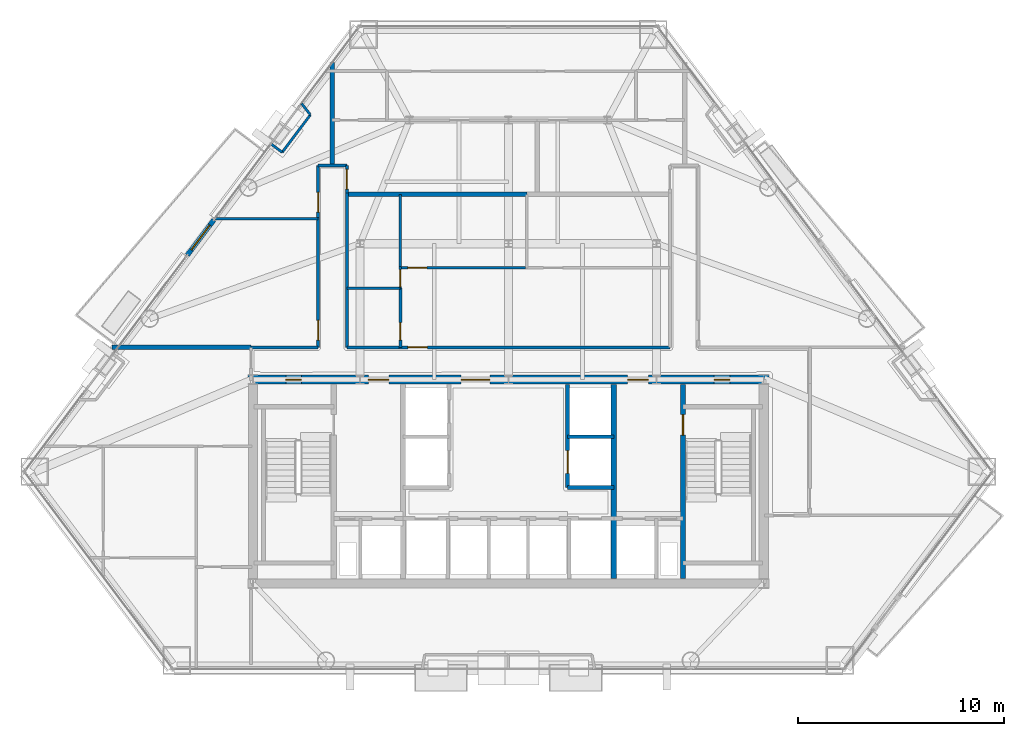
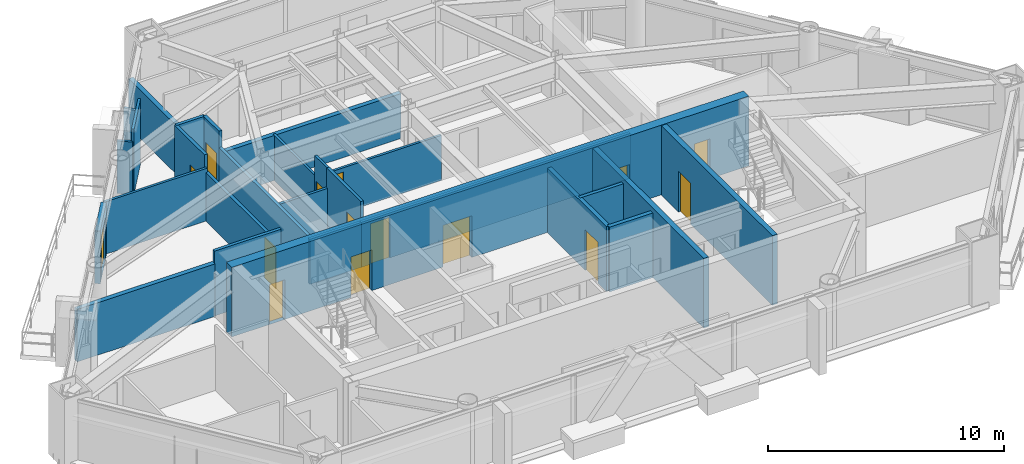
# One storey, part 7 of 11: 27 walls, 15 doors, 15 openings.
"""IFC4 building model written with IfcOpenShell, lengths in metres."""

import ifcopenshell
import ifcopenshell.guid

model = None  # the IFC model being written
_history = None  # IfcOwnerHistory: only IFC2X3 demands one
_inside = {}  # id of a spatial element -> (the spatial element, [elements in it])
_under = {}  # id of a project, library or spatial element -> (it, [spatial elements below it])
_declared = {}  # id of a project -> (the project, [libraries it declares])
_typed = {}  # id of a type object -> (the type object, [elements of that type])
_made_of = {}  # id of a material, layer set ... -> (it, [elements and type objects made of it])


def new_model(schema):
    """Start an empty IFC model of exactly this schema.

    Asked for "IFC4X3", IfcOpenShell would pick the latest addendum, in which some entities
    have other attributes; the version numbers below select the first issue.
    IFC2X3 requires an IfcOwnerHistory on every rooted entity: one is made here for all.
    """
    global model, _history
    if schema == "IFC4X3":
        model = ifcopenshell.file(schema_version=(4, 3, 0, 0))
    else:
        model = ifcopenshell.file(schema=schema)
    _inside.clear()
    _under.clear()
    _declared.clear()
    _typed.clear()
    _made_of.clear()
    _history = None
    if model.schema == "IFC2X3":
        org = make("IfcOrganization", Name="unknown")
        user = make(
            "IfcPersonAndOrganization",
            ThePerson=make("IfcPerson", FamilyName="unknown"),
            TheOrganization=org,
        )
        app = make(
            "IfcApplication",
            ApplicationDeveloper=org,
            Version="unknown",
            ApplicationFullName="unknown",
            ApplicationIdentifier="unknown",
        )
        _history = make(
            "IfcOwnerHistory",
            OwningUser=user,
            OwningApplication=app,
            ChangeAction="ADDED",
            CreationDate=0,
        )
    return model


def make(cls, **values):
    """One entity of the class cls with the attributes given. An attribute that is None is left unset."""
    return model.create_entity(
        cls, **{name: value for name, value in values.items() if value is not None}
    )


def rooted(cls, **values):
    """An entity with a GlobalId (a new one), such as an element, a storey or a relation."""
    return make(cls, GlobalId=ifcopenshell.guid.new(), OwnerHistory=_history, **values)


def si_unit(unit_type, name, prefix=None):
    """IfcSIUnit, for example si_unit("LENGTHUNIT", "METRE", prefix="MILLI")."""
    return make("IfcSIUnit", UnitType=unit_type, Prefix=prefix, Name=name)


def assignment(units):
    """IfcUnitAssignment: the units of a project."""
    return None if units is None else make("IfcUnitAssignment", Units=units)


def point(xyz):
    """IfcCartesianPoint."""
    return None if xyz is None else make("IfcCartesianPoint", Coordinates=xyz)


def direction(xyz):
    """IfcDirection."""
    return None if xyz is None else make("IfcDirection", DirectionRatios=xyz)


def frame(location, z_axis=None, x_axis=None):
    """IfcAxis2Placement3D, a coordinate frame: its origin and axes. An axis left out is left unset."""
    return make(
        "IfcAxis2Placement3D",
        Location=point(location),
        Axis=direction(z_axis),
        RefDirection=direction(x_axis),
    )


def frame_2d(location, x_axis=None):
    """IfcAxis2Placement2D, a coordinate frame in the plane: its origin and x axis."""
    return make(
        "IfcAxis2Placement2D", Location=point(location), RefDirection=direction(x_axis)
    )


def origin():
    """The frame at (0, 0, 0) with its axes left unset."""
    return frame((0.0, 0.0, 0.0))


def place(relative_to, where):
    """IfcLocalPlacement: puts the frame where relative to a parent placement (None: the world)."""
    return make(
        "IfcLocalPlacement", PlacementRelTo=relative_to, RelativePlacement=where
    )


def context(
    kind, dimensions, precision=None, world=None, true_north=None, identifier=None
):
    """IfcGeometricRepresentationContext, for example the 3D "Model" context."""
    return make(
        "IfcGeometricRepresentationContext",
        ContextIdentifier=identifier,
        ContextType=kind,
        CoordinateSpaceDimension=dimensions,
        Precision=precision,
        WorldCoordinateSystem=world,
        TrueNorth=true_north,
    )


def subcontext(parent, identifier, kind, view, scale=None):
    """IfcGeometricRepresentationSubContext, for example "Body" below "Model"."""
    return make(
        "IfcGeometricRepresentationSubContext",
        ContextIdentifier=identifier,
        ContextType=kind,
        ParentContext=parent,
        TargetScale=scale,
        TargetView=view,
    )


def project(units=None, contexts=None):
    """IfcProject with its units and contexts."""
    return rooted(
        "IfcProject",
        Name="project",
        RepresentationContexts=contexts,
        UnitsInContext=assignment(units),
    )


def spatial(cls, under=None, at=None, **own):
    """A site, building, storey or space (cls), placed at a placement, below another one or the project."""
    s = rooted(cls, ObjectPlacement=at, **own)
    if under is not None:
        _under.setdefault(under.id(), (under, []))[1].append(s)
    return s


def profile(cls, at=None, kind="AREA", **sizes):
    """A parametric profile (cls). Its sizes go by their IFC names, for example OverallWidth=200.0."""
    return make(cls, ProfileType=kind, Position=at, **sizes)


def rectangle(**sizes):
    """IfcRectangleProfileDef."""
    return profile("IfcRectangleProfileDef", **sizes)


def extrude(swept, where, along, depth):
    """IfcExtrudedAreaSolid: the profile swept, set in the frame where, extruded along a direction by depth."""
    return make(
        "IfcExtrudedAreaSolid",
        SweptArea=swept,
        Position=where,
        ExtrudedDirection=direction(along),
        Depth=depth,
    )


def shape(context_of_items, identifier, shape_type, items):
    """IfcShapeRepresentation: the items that make up one representation, for example the "Body"."""
    return make(
        "IfcShapeRepresentation",
        ContextOfItems=context_of_items,
        RepresentationIdentifier=identifier,
        RepresentationType=shape_type,
        Items=items,
    )


def material(Name=None, Category=None):
    """IfcMaterial."""
    return make("IfcMaterial", Name=Name, Category=Category)


def layer(
    of_material, thickness, ventilated=None, Name=None, Category=None, Priority=None
):
    """IfcMaterialLayer: one layer of a wall or slab, of a material (None: an air gap)."""
    return make(
        "IfcMaterialLayer",
        Material=of_material,
        LayerThickness=thickness,
        IsVentilated=ventilated,
        Name=Name,
        Category=Category,
        Priority=Priority,
    )


def layer_set(layers, Name=None):
    """IfcMaterialLayerSet."""
    return make("IfcMaterialLayerSet", MaterialLayers=layers, LayerSetName=Name)


def made_of(thing, what):
    """Note that an element or type object is made of a material, layer set ...; save() writes the relation."""
    if what is not None:
        _made_of.setdefault(what.id(), (what, []))[1].append(thing)
    return thing


def type_object(cls, material=None, **own):
    """A type object (cls), such as IfcWallType, which elements share."""
    return made_of(rooted(cls, **own), material)


def element(
    cls,
    number,
    at=None,
    inside=None,
    cuts=None,
    type_object=None,
    material=None,
    context=None,
    identifier="Body",
    shape_type=None,
    held_by="IfcProductDefinitionShape",
    body=None,
    shapes=None,
    **own,
):
    """One element of the class cls, such as IfcWall. Its Tag is "e" and its number.

    at: its placement. inside: the storey or other place that contains it. cuts: it is an
    opening in that element (IfcRelVoidsElement). A single representation is given by context,
    identifier, shape_type and body (its items); several are given by shapes. held_by: the class
    of the entity that holds the representations. save() writes the other relations.
    """
    e = rooted(cls, Tag="e%d" % number, ObjectPlacement=at, **own)
    if body is not None:
        shapes = [shape(context, identifier, shape_type, body)]
    if shapes is not None:
        e.Representation = make(held_by, Representations=shapes)
    if inside is not None:
        _inside.setdefault(inside.id(), (inside, []))[1].append(e)
    if cuts is not None:
        rooted(
            "IfcRelVoidsElement", RelatingBuildingElement=cuts, RelatedOpeningElement=e
        )
    if type_object is not None:
        _typed.setdefault(type_object.id(), (type_object, []))[1].append(e)
    return made_of(e, material)


def fill(opening, filler):
    """IfcRelFillsElement: the door or window that sits in an opening."""
    return rooted(
        "IfcRelFillsElement",
        RelatingOpeningElement=opening,
        RelatedBuildingElement=filler,
    )


def aggregate(whole, parts):
    """IfcRelAggregates: a whole, such as a stair, and the parts it consists of."""
    return rooted("IfcRelAggregates", RelatingObject=whole, RelatedObjects=parts)


def save(model, path):
    """Write the relations noted so far, then the file.

    IfcRelAggregates (storeys below a building ...), IfcRelContainedInSpatialStructure (elements
    in a storey), IfcRelDefinesByType, IfcRelAssociatesMaterial and IfcRelDeclares: one each for
    every whole, place, type object, material and project.
    """
    for whole, parts in _under.values():
        aggregate(whole, parts)
    for where, things in _inside.values():
        rooted(
            "IfcRelContainedInSpatialStructure",
            RelatedElements=things,
            RelatingStructure=where,
        )
    for kind, things in _typed.values():
        rooted("IfcRelDefinesByType", RelatedObjects=things, RelatingType=kind)
    for what, things in _made_of.values():
        rooted("IfcRelAssociatesMaterial", RelatedObjects=things, RelatingMaterial=what)
    for by, libraries in _declared.values():
        rooted("IfcRelDeclares", RelatingContext=by, RelatedDefinitions=libraries)
    model.write(path)


model = new_model("IFC4")

# Units and contexts
model_context = context("Model", 3, precision=1e-05, world=origin(), true_north=direction((0.0, 1.0)))
body_context = subcontext(model_context, "Body", "Model", "MODEL_VIEW")
ifc_project = project(units=[si_unit("LENGTHUNIT", "METRE"), si_unit("AREAUNIT", "SQUARE_METRE"), si_unit("VOLUMEUNIT", "CUBIC_METRE"), si_unit("PLANEANGLEUNIT", "RADIAN"), si_unit("MASSUNIT", "GRAM", prefix="KILO")], contexts=[model_context])

# Site, building, storey
site_placement = place(None, origin())
site = spatial("IfcSite", under=ifc_project, at=site_placement, CompositionType="ELEMENT")
building_placement = place(site_placement, origin())
building = spatial("IfcBuilding", under=site, at=building_placement, Name="Talgorran Terracotta Tower", CompositionType="ELEMENT")
storey_placement = place(building_placement, frame((0.0, 0.0, 72.0)))
storey = spatial("IfcBuildingStorey", under=building, at=storey_placement, Name="L18", CompositionType="ELEMENT", Elevation=72.0)

# Wall, opening, door
ifc_material_1 = material(Name="Concrete C40/50", Category="concrete")
ifc_layer_1 = layer(ifc_material_1, 0.239990234375, Name="WT_BALCONY_SPAND")
ifc_layer_set_1 = layer_set([ifc_layer_1], Name="Concrete C40/50")
wall_type_1 = type_object("IfcWallType", Name="WT_BALCONY_SPAND", PredefinedType="STANDARD", material=ifc_layer_set_1)
wall_1_placement = place(storey_placement, frame((-14.303955078125, 3.556640625, -0.014892578125), z_axis=(0.0, 0.0, 1.0), x_axis=(-0.601313387004, -0.799013273112, 0.0)))
wall_1 = element("IfcWall", 1, at=wall_1_placement, inside=storey, type_object=wall_type_1, Name="WL-L18-BALP-BAL-NW", PredefinedType="STANDARD", context=body_context, shape_type="SweptSolid", body=[
    extrude(rectangle(XDim=2.14013671875, YDim=0.239990234375, at=frame_2d((1.070068359375, 0.0))), origin(), (0.0, 0.0, 1.0), 2.728271484375),
])
opening_1_placement = place(wall_1_placement, frame((0.320068359375, 0.0, 0.014892578125)))
opening_1 = element("IfcOpeningElement", 2, at=opening_1_placement, cuts=wall_1, Name="Opening D-BAL-L18-2", PredefinedType="OPENING", context=body_context, shape_type="SweptSolid", body=[
    extrude(rectangle(XDim=1.506, YDim=2.203951171875, at=frame_2d((0.75, 1.10205078125))), frame((0.0, 0.1298828125, 0.0), z_axis=(0.0, -1.0, 0.0), x_axis=(1.0, 0.0, 0.0)), (0.0, 0.0, 1.0), 0.260009765625),
])
ifc_material_2 = material(Name="Thermally Broken Aluminium", Category="aluminium")
door_type_1 = type_object("IfcDoorType", Name="DT_BALC_1500", OperationType="SLIDING_TO_RIGHT", PredefinedType="DOOR", material=ifc_material_2)
door_1_placement = place(opening_1_placement, origin())
door_1 = element("IfcDoor", 3, at=door_1_placement, inside=storey, type_object=door_type_1, Name="DR-L18-BAL-BAL-NW", OperationType="SLIDING_TO_RIGHT", OverallHeight=2.199951171875, OverallWidth=1.5, PredefinedType="DOOR", context=body_context, shape_type="SweptSolid", body=[
    extrude(rectangle(XDim=1.5, YDim=2.199951171875, at=frame_2d((0.75, 1.10009765625))), frame((0.0, 0.02490234375, 0.0), z_axis=(0.0, -1.0, 0.0), x_axis=(1.0, 0.0, 0.0)), (0.0, 0.0, 1.0), 0.050048828125),
])
fill(opening_1, door_1)

ifc_material_3 = material(Name="Concrete C50/60", Category="concrete")
ifc_layer_2 = layer(ifc_material_3, 0.199951171875, Name="WT_CORE_200")
ifc_layer_set_2 = layer_set([ifc_layer_2], Name="Concrete C50/60")
wall_type_2 = type_object("IfcWallType", Name="WT_CORE_200", PredefinedType="SOLIDWALL", material=ifc_layer_set_2)
wall_2_placement = place(storey_placement, frame((2.8798828125, -9.449951171875, 0.0), z_axis=(0.0, 0.0, 1.0), x_axis=(0.0, 1.0, 0.0)))
wall_2 = element("IfcWall", 4, at=wall_2_placement, inside=storey, type_object=wall_type_2, Name="WL-L18-CW-V-E3", PredefinedType="SOLIDWALL", context=body_context, shape_type="SweptSolid", body=[
    extrude(rectangle(XDim=5.0, YDim=0.199951171875, at=frame_2d((2.5, 0.0))), origin(), (0.0, 0.0, 1.0), 3.35009765625),
])
opening_2_placement = place(wall_2_placement, frame((0.699951171875, 0.0, 0.0)))
opening_2 = element("IfcOpeningElement", 5, at=opening_2_placement, cuts=wall_2, Name="Opening LD-PLM1", PredefinedType="OPENING", context=body_context, shape_type="SweptSolid", body=[
    extrude(rectangle(XDim=1.10609765625, YDim=2.10409765625, at=frame_2d((0.550048828125, 1.052001953125))), frame((0.0, 0.10986328125, 0.0), z_axis=(0.0, -1.0, 0.0), x_axis=(1.0, 0.0, 0.0)), (0.0, 0.0, 1.0), 0.219970703125),
])
ifc_material_4 = material(Name="Brushed Stainless Steel Grade 304", Category="steel")
door_type_2 = type_object("IfcDoorType", Name="DT_LIFT_LD1100", OperationType="DOUBLE_DOOR_SLIDING", PredefinedType="DOOR", material=ifc_material_4)
door_2_placement = place(opening_2_placement, origin())
door_2 = element("IfcDoor", 6, at=door_2_placement, inside=storey, type_object=door_type_2, Name="L18 Lift Landing Door LD-PLM1", OperationType="DOUBLE_DOOR_SLIDING", OverallHeight=2.10009765625, OverallWidth=1.10009765625, PredefinedType="DOOR", context=body_context, shape_type="SweptSolid", body=[
    extrude(rectangle(XDim=1.10009765625, YDim=2.10009765625, at=frame_2d((0.550048828125, 1.050048828125))), frame((0.0, 0.02490234375, 0.0), z_axis=(0.0, -1.0, 0.0), x_axis=(1.0, 0.0, 0.0)), (0.0, 0.0, 1.0), 0.050048828125),
])
fill(opening_2, door_2)

# Wall
wall_3_placement = place(storey_placement, frame((2.8798828125, -9.449951171875, 0.0), z_axis=(0.0, 0.0, 1.0), x_axis=(1.0, 0.0, 0.0)))
element("IfcWall", 7, at=wall_3_placement, inside=storey, type_object=wall_type_2, Name="WL-L18-CW-H-E4", PredefinedType="SOLIDWALL", context=body_context, shape_type="SweptSolid", body=[
    extrude(rectangle(XDim=2.240234375, YDim=0.199951171875, at=frame_2d((1.1201171875, 0.0))), origin(), (0.0, 0.0, 1.0), 3.35009765625),
])

# Wall, opening, door
ifc_layer_3 = layer(ifc_material_3, 0.25, Name="WT_CORE_250")
ifc_layer_set_3 = layer_set([ifc_layer_3], Name="Concrete C50/60")
wall_type_3 = type_object("IfcWallType", Name="WT_CORE_250", PredefinedType="SHEAR", material=ifc_layer_set_3)
wall_4_placement = place(storey_placement, frame((8.47998046875, -13.85009765625, 0.0), z_axis=(0.0, 0.0, 1.0), x_axis=(0.0, 1.0, 0.0)))
wall_4 = element("IfcWall", 8, at=wall_4_placement, inside=storey, type_object=wall_type_3, Name="WL-L18-CW-V-E1", PredefinedType="SHEAR", context=body_context, shape_type="SweptSolid", body=[
    extrude(rectangle(XDim=9.400146484375, YDim=0.25, at=frame_2d((4.7001953125, 0.0))), origin(), (0.0, 0.0, 1.0), 3.60009765625),
])
opening_3_placement = place(wall_4_placement, frame((6.949951171875, 0.0, 0.0)))
opening_3 = element("IfcOpeningElement", 9, at=opening_3_placement, cuts=wall_4, Name="Opening DR-ST02", PredefinedType="OPENING", context=body_context, shape_type="SweptSolid", body=[
    extrude(rectangle(XDim=1.006, YDim=2.10409765625, at=frame_2d((0.5, 1.052001953125))), frame((0.0, 0.135009765625, 0.0), z_axis=(0.0, -1.0, 0.0), x_axis=(1.0, 0.0, 0.0)), (0.0, 0.0, 1.0), 0.27001953125),
])
ifc_material_5 = material(Name="Fire-Rated Pressed Steel", Category="steel")
door_type_3 = type_object("IfcDoorType", Name="DT_FIRE_1000", OperationType="NOTDEFINED", PredefinedType="DOOR", material=ifc_material_5)
door_3_placement = place(opening_3_placement, origin())
door_3 = element("IfcDoor", 10, at=door_3_placement, inside=storey, type_object=door_type_3, Name="DR-ST02", OperationType="SINGLE_SWING_RIGHT", OverallHeight=2.10009765625, OverallWidth=1.0, PredefinedType="DOOR", context=body_context, shape_type="SweptSolid", body=[
    extrude(rectangle(XDim=1.0, YDim=2.10009765625, at=frame_2d((0.5, 1.050048828125))), frame((0.0, 0.02490234375, 0.0), z_axis=(0.0, -1.0, 0.0), x_axis=(1.0, 0.0, 0.0)), (0.0, 0.0, 1.0), 0.050048828125),
])
fill(opening_3, door_3)

# Wall
wall_5_placement = place(storey_placement, frame((5.1201171875, -13.85009765625, 0.0), z_axis=(0.0, 0.0, 1.0), x_axis=(0.0, 1.0, 0.0)))
element("IfcWall", 11, at=wall_5_placement, inside=storey, type_object=wall_type_3, Name="WL-L18-CW-V-E2", PredefinedType="SHEAR", context=body_context, shape_type="SweptSolid", body=[
    extrude(rectangle(XDim=9.400146484375, YDim=0.25, at=frame_2d((4.7001953125, 0.0))), origin(), (0.0, 0.0, 1.0), 3.60009765625),
])

# Wall, openings, doors
ifc_material_6 = material(Name="Concrete C65/80", Category="concrete")
ifc_layer_4 = layer(ifc_material_6, 0.449951171875, Name="WT_CORE_EXT")
ifc_layer_set_4 = layer_set([ifc_layer_4], Name="Concrete C65/80")
wall_type_4 = type_object("IfcWallType", Name="WT_CORE_EXT", PredefinedType="SHEAR", material=ifc_layer_set_4)
wall_6_placement = place(storey_placement, frame((-12.64990234375, -4.199951171875, 0.0), z_axis=(0.0, 0.0, 1.0), x_axis=(1.0, 0.0, 0.0)))
wall_6 = element("IfcWall", 12, at=wall_6_placement, inside=storey, type_object=wall_type_4, Name="WL-L18-CW-OUT-N", PredefinedType="SHEAR", context=body_context, shape_type="SweptSolid", body=[
    extrude(rectangle(XDim=25.2998046875, YDim=0.449951171875, at=frame_2d((12.64990234375, 0.0))), origin(), (0.0, 0.0, 1.0), 3.60009765625),
])
opening_4_placement = place(wall_6_placement, frame((1.85009765625, 0.0, 0.0)))
opening_4 = element("IfcOpeningElement", 13, at=opening_4_placement, cuts=wall_6, Name="Opening DR-CSN1", PredefinedType="OPENING", context=body_context, shape_type="SweptSolid", body=[
    extrude(rectangle(XDim=0.756, YDim=2.054048828125, at=frame_2d((0.375, 1.027099609375))), frame((0.0, 0.23486328125, 0.0), z_axis=(0.0, -1.0, 0.0), x_axis=(1.0, 0.0, 0.0)), (0.0, 0.0, 1.0), 0.469970703125),
])
opening_5_placement = place(wall_6_placement, frame((22.64990234375, 0.0, 0.0)))
opening_5 = element("IfcOpeningElement", 14, at=opening_5_placement, cuts=wall_6, Name="Opening DR-CSN2", PredefinedType="OPENING", context=body_context, shape_type="SweptSolid", body=[
    extrude(rectangle(XDim=0.756, YDim=2.054048828125, at=frame_2d((0.375, 1.027099609375))), frame((0.0, 0.23486328125, 0.0), z_axis=(0.0, -1.0, 0.0), x_axis=(1.0, 0.0, 0.0)), (0.0, 0.0, 1.0), 0.469970703125),
])
opening_6_placement = place(wall_6_placement, frame((5.85009765625, 0.0, 0.0)))
opening_6 = element("IfcOpeningElement", 15, at=opening_6_placement, cuts=wall_6, Name="Opening DR-FFLW-N", PredefinedType="OPENING", context=body_context, shape_type="SweptSolid", body=[
    extrude(rectangle(XDim=1.006, YDim=2.10409765625, at=frame_2d((0.5, 1.052001953125))), frame((0.0, 0.23486328125, 0.0), z_axis=(0.0, -1.0, 0.0), x_axis=(1.0, 0.0, 0.0)), (0.0, 0.0, 1.0), 0.469970703125),
])
opening_7_placement = place(wall_6_placement, frame((10.35009765625, 0.0, 0.0)))
opening_7 = element("IfcOpeningElement", 16, at=opening_7_placement, cuts=wall_6, Name="Opening DR-PLL-N", PredefinedType="OPENING", context=body_context, shape_type="SweptSolid", body=[
    extrude(rectangle(XDim=1.40590234375, YDim=2.15390234375, at=frame_2d((0.699951171875, 1.076904296875))), frame((0.0, 0.23486328125, 0.0), z_axis=(0.0, -1.0, 0.0), x_axis=(1.0, 0.0, 0.0)), (0.0, 0.0, 1.0), 0.469970703125),
])
opening_8_placement = place(wall_6_placement, frame((18.449951171875, 0.0, 0.0)))
opening_8 = element("IfcOpeningElement", 17, at=opening_8_placement, cuts=wall_6, Name="Opening DR-FFLE-N", PredefinedType="OPENING", context=body_context, shape_type="SweptSolid", body=[
    extrude(rectangle(XDim=1.006, YDim=2.10409765625, at=frame_2d((0.5, 1.052001953125))), frame((0.0, 0.23486328125, 0.0), z_axis=(0.0, -1.0, 0.0), x_axis=(1.0, 0.0, 0.0)), (0.0, 0.0, 1.0), 0.469970703125),
])
ifc_material_7 = material(Name="Acoustic Glazed Timber", Category="wood")
door_type_4 = type_object("IfcDoorType", Name="DT_DOUBLE_1400", OperationType="DOUBLE_DOOR_SINGLE_SWING", PredefinedType="DOOR", material=ifc_material_7)
door_4_placement = place(opening_7_placement, origin())
door_4 = element("IfcDoor", 18, at=door_4_placement, inside=storey, type_object=door_type_4, Name="DR-PLL-N", OperationType="DOUBLE_DOOR_SINGLE_SWING", OverallHeight=2.14990234375, OverallWidth=1.39990234375, PredefinedType="DOOR", context=body_context, shape_type="SweptSolid", body=[
    extrude(rectangle(XDim=1.39990234375, YDim=2.14990234375, at=frame_2d((0.699951171875, 1.074951171875))), frame((0.0, 0.02490234375, 0.0), z_axis=(0.0, -1.0, 0.0), x_axis=(1.0, 0.0, 0.0)), (0.0, 0.0, 1.0), 0.050048828125),
])
fill(opening_7, door_4)
door_5_placement = place(opening_6_placement, origin())
door_5 = element("IfcDoor", 19, at=door_5_placement, inside=storey, type_object=door_type_3, Name="DR-FFLW-N", OperationType="SINGLE_SWING_LEFT", OverallHeight=2.10009765625, OverallWidth=1.0, PredefinedType="DOOR", context=body_context, shape_type="SweptSolid", body=[
    extrude(rectangle(XDim=1.0, YDim=2.10009765625, at=frame_2d((0.5, 1.050048828125))), frame((0.0, 0.02490234375, 0.0), z_axis=(0.0, -1.0, 0.0), x_axis=(1.0, 0.0, 0.0)), (0.0, 0.0, 1.0), 0.050048828125),
])
fill(opening_6, door_5)
door_6_placement = place(opening_8_placement, origin())
door_6 = element("IfcDoor", 20, at=door_6_placement, inside=storey, type_object=door_type_3, Name="DR-FFLE-N", OperationType="SINGLE_SWING_RIGHT", OverallHeight=2.10009765625, OverallWidth=1.0, PredefinedType="DOOR", context=body_context, shape_type="SweptSolid", body=[
    extrude(rectangle(XDim=1.0, YDim=2.10009765625, at=frame_2d((0.5, 1.050048828125))), frame((0.0, 0.02490234375, 0.0), z_axis=(0.0, -1.0, 0.0), x_axis=(1.0, 0.0, 0.0)), (0.0, 0.0, 1.0), 0.050048828125),
])
fill(opening_8, door_6)
door_type_5 = type_object("IfcDoorType", Name="DT_RISER_750", OperationType="NOTDEFINED", PredefinedType="DOOR", material=ifc_material_5)
door_7_placement = place(opening_4_placement, origin())
door_7 = element("IfcDoor", 21, at=door_7_placement, inside=storey, type_object=door_type_5, Name="DR-CSN1", OperationType="SINGLE_SWING_LEFT", OverallHeight=2.050048828125, OverallWidth=0.75, PredefinedType="DOOR", context=body_context, shape_type="SweptSolid", body=[
    extrude(rectangle(XDim=0.75, YDim=2.050048828125, at=frame_2d((0.375, 1.02490234375))), frame((0.0, 0.02490234375, 0.0), z_axis=(0.0, -1.0, 0.0), x_axis=(1.0, 0.0, 0.0)), (0.0, 0.0, 1.0), 0.050048828125),
])
fill(opening_4, door_7)
door_8_placement = place(opening_5_placement, origin())
door_8 = element("IfcDoor", 22, at=door_8_placement, inside=storey, type_object=door_type_5, Name="DR-CSN2", OperationType="SINGLE_SWING_RIGHT", OverallHeight=2.050048828125, OverallWidth=0.75, PredefinedType="DOOR", context=body_context, shape_type="SweptSolid", body=[
    extrude(rectangle(XDim=0.75, YDim=2.050048828125, at=frame_2d((0.375, 1.02490234375))), frame((0.0, 0.02490234375, 0.0), z_axis=(0.0, -1.0, 0.0), x_axis=(1.0, 0.0, 0.0)), (0.0, 0.0, 1.0), 0.050048828125),
])
fill(opening_5, door_8)

# Wall, opening, door
ifc_material_8 = material(Name="Fire-Rated Steel Stud Plasterboard", Category="steel")
ifc_layer_5 = layer(ifc_material_8, 0.14990234375, Name="WT_FIRE_150")
ifc_layer_set_5 = layer_set([ifc_layer_5], Name="Fire-Rated Steel Stud Plasterboard")
wall_type_5 = type_object("IfcWallType", Name="WT_FIRE_150", PredefinedType="PARTITIONING", material=ifc_layer_set_5)
wall_7_placement = place(storey_placement, frame((-5.320068359375, -2.639892578125, 0.0), z_axis=(0.0, 0.0, 1.0), x_axis=(1.0, 0.0, 0.0)))
wall_7 = element("IfcWall", 23, at=wall_7_placement, inside=storey, type_object=wall_type_5, Name="WL-L18-W-L18-R12", PredefinedType="PARTITIONING", context=body_context, shape_type="SweptSolid", body=[
    extrude(rectangle(XDim=13.16015625, YDim=0.14990234375, at=frame_2d((6.580078125, 0.0))), origin(), (0.0, 0.0, 1.0), 2.324951171875),
])
opening_9_placement = place(wall_7_placement, frame((0.439208984375, 0.0, 0.0)))
opening_9 = element("IfcOpeningElement", 24, at=opening_9_placement, cuts=wall_7, Name="Opening DR-L18-R11", PredefinedType="OPENING", context=body_context, shape_type="SweptSolid", body=[
    extrude(rectangle(XDim=0.955951171875, YDim=2.10409765625, at=frame_2d((0.47509765625, 1.052001953125))), frame((0.0, 0.0849609375, 0.0), z_axis=(0.0, -1.0, 0.0), x_axis=(1.0, 0.0, 0.0)), (0.0, 0.0, 1.0), 0.169921875),
])
ifc_material_9 = material(Name="Fire-Rated Timber Core", Category="wood")
door_type_6 = type_object("IfcDoorType", Name="DT_FIRE_950", OperationType="NOTDEFINED", PredefinedType="DOOR", material=ifc_material_9)
door_9_placement = place(opening_9_placement, origin())
door_9 = element("IfcDoor", 25, at=door_9_placement, inside=storey, type_object=door_type_6, Name="DR-L18-R11", OperationType="SINGLE_SWING_LEFT", OverallHeight=2.10009765625, OverallWidth=0.949951171875, PredefinedType="DOOR", context=body_context, shape_type="SweptSolid", body=[
    extrude(rectangle(XDim=0.949951171875, YDim=2.10009765625, at=frame_2d((0.47509765625, 1.050048828125))), frame((0.0, 0.02490234375, 0.0), z_axis=(0.0, -1.0, 0.0), x_axis=(1.0, 0.0, 0.0)), (0.0, 0.0, 1.0), 0.050048828125),
])
fill(opening_9, door_9)

wall_8_placement = place(storey_placement, frame((-9.239990234375, -2.639892578125, 0.0), z_axis=(0.0, 0.0, 1.0), x_axis=(0.0, 1.0, 0.0)))
wall_8 = element("IfcWall", 26, at=wall_8_placement, inside=storey, type_object=wall_type_5, Name="WL-L18-W-L18-R06", PredefinedType="PARTITIONING", context=body_context, shape_type="SweptSolid", body=[
    extrude(rectangle(XDim=6.2998046875, YDim=0.14990234375, at=frame_2d((3.14990234375, 0.0))), origin(), (0.0, 0.0, 1.0), 2.509033203125),
])
opening_10_placement = place(wall_8_placement, frame((0.359619140625, 0.0, 0.0)))
opening_10 = element("IfcOpeningElement", 27, at=opening_10_placement, cuts=wall_8, Name="Opening DR-L18-R07", PredefinedType="OPENING", context=body_context, shape_type="SweptSolid", body=[
    extrude(rectangle(XDim=0.955951171875, YDim=2.10409765625, at=frame_2d((0.47509765625, 1.052001953125))), frame((0.0, 0.0849609375, 0.0), z_axis=(0.0, -1.0, 0.0), x_axis=(1.0, 0.0, 0.0)), (0.0, 0.0, 1.0), 0.169921875),
])
door_10_placement = place(opening_10_placement, origin())
door_10 = element("IfcDoor", 28, at=door_10_placement, inside=storey, type_object=door_type_6, Name="DR-L18-R07", OperationType="SINGLE_SWING_LEFT", OverallHeight=2.10009765625, OverallWidth=0.949951171875, PredefinedType="DOOR", context=body_context, shape_type="SweptSolid", body=[
    extrude(rectangle(XDim=0.949951171875, YDim=2.10009765625, at=frame_2d((0.47509765625, 1.050048828125))), frame((0.0, 0.02490234375, 0.0), z_axis=(0.0, -1.0, 0.0), x_axis=(1.0, 0.0, 0.0)), (0.0, 0.0, 1.0), 0.050048828125),
])
fill(opening_10, door_10)

# Walls
wall_9_placement = place(storey_placement, frame((-7.840087890625, -2.639892578125, 0.0), z_axis=(0.0, 0.0, 1.0), x_axis=(0.0, 1.0, 0.0)))
element("IfcWall", 29, at=wall_9_placement, inside=storey, type_object=wall_type_5, Name="WL-L18-W-L18-R11", PredefinedType="PARTITIONING", context=body_context, shape_type="SweptSolid", body=[
    extrude(rectangle(XDim=7.5, YDim=0.14990234375, at=frame_2d((3.75, 0.0))), origin(), (0.0, 0.0, 1.0), 2.509033203125),
])
wall_10_placement = place(storey_placement, frame((-12.5, -2.639892578125, 0.0), z_axis=(0.0, 0.0, 1.0), x_axis=(1.0, 0.0, 0.0)))
element("IfcWall", 30, at=wall_10_placement, inside=storey, type_object=wall_type_5, Name="WL-L18-W-L18-R05", PredefinedType="PARTITIONING", context=body_context, shape_type="SweptSolid", body=[
    extrude(rectangle(XDim=3.260009765625, YDim=0.14990234375, at=frame_2d((1.6298828125, 0.0))), origin(), (0.0, 0.0, 1.0), 3.35009765625),
])

# Wall, opening, door
wall_11_placement = place(storey_placement, frame((-9.239990234375, 3.662109375, 0.0), z_axis=(0.0, 0.0, 1.0), x_axis=(0.0, 1.0, 0.0)))
wall_11 = element("IfcWall", 31, at=wall_11_placement, inside=storey, type_object=wall_type_5, Name="WL-L18-W-L18-R07", PredefinedType="PARTITIONING", context=body_context, shape_type="SweptSolid", body=[
    extrude(rectangle(XDim=2.537841796875, YDim=0.14990234375, at=frame_2d((1.26904296875, 0.0))), origin(), (0.0, 0.0, 1.0), 3.35009765625),
])
opening_11_placement = place(wall_11_placement, frame((0.276123046875, 0.0, 0.0)))
opening_11 = element("IfcOpeningElement", 32, at=opening_11_placement, cuts=wall_11, Name="Opening DR-L18-R08", PredefinedType="OPENING", context=body_context, shape_type="SweptSolid", body=[
    extrude(rectangle(XDim=0.955951171875, YDim=2.10409765625, at=frame_2d((0.47509765625, 1.052001953125))), frame((0.0, 0.0849609375, 0.0), z_axis=(0.0, -1.0, 0.0), x_axis=(1.0, 0.0, 0.0)), (0.0, 0.0, 1.0), 0.169921875),
])
door_11_placement = place(opening_11_placement, origin())
door_11 = element("IfcDoor", 33, at=door_11_placement, inside=storey, type_object=door_type_6, Name="DR-L18-R08", OperationType="SINGLE_SWING_RIGHT", OverallHeight=2.10009765625, OverallWidth=0.949951171875, PredefinedType="DOOR", context=body_context, shape_type="SweptSolid", body=[
    extrude(rectangle(XDim=0.949951171875, YDim=2.10009765625, at=frame_2d((0.47509765625, 1.050048828125))), frame((0.0, 0.02490234375, 0.0), z_axis=(0.0, -1.0, 0.0), x_axis=(1.0, 0.0, 0.0)), (0.0, 0.0, 1.0), 0.050048828125),
])
fill(opening_11, door_11)

# Wall
wall_12_placement = place(storey_placement, frame((-7.840087890625, -2.639892578125, 0.0), z_axis=(0.0, 0.0, 1.0), x_axis=(1.0, 0.0, 0.0)))
element("IfcWall", 34, at=wall_12_placement, inside=storey, type_object=wall_type_5, Name="WL-L18-W-L18-R10", PredefinedType="PARTITIONING", context=body_context, shape_type="SweptSolid", body=[
    extrude(rectangle(XDim=2.51806640625, YDim=0.14990234375, at=frame_2d((1.259033203125, 0.0))), origin(), (0.0, 0.0, 1.0), 2.324951171875),
])

# Wall, opening, door
wall_13_placement = place(storey_placement, frame((-7.840087890625, 4.862060546875, 0.0), z_axis=(0.0, 0.0, 1.0), x_axis=(0.0, 1.0, 0.0)))
wall_13 = element("IfcWall", 35, at=wall_13_placement, inside=storey, type_object=wall_type_5, Name="WL-L18-W-L18-R16", PredefinedType="PARTITIONING", context=body_context, shape_type="SweptSolid", body=[
    extrude(rectangle(XDim=1.337890625, YDim=0.14990234375, at=frame_2d((0.6689453125, 0.0))), origin(), (0.0, 0.0, 1.0), 3.35009765625),
])
opening_12_placement = place(wall_13_placement, frame((0.19091796875, 0.0, 0.0)))
opening_12 = element("IfcOpeningElement", 36, at=opening_12_placement, cuts=wall_13, Name="Opening DR-L18-R14", PredefinedType="OPENING", context=body_context, shape_type="SweptSolid", body=[
    extrude(rectangle(XDim=0.955951171875, YDim=2.10409765625, at=frame_2d((0.47509765625, 1.052001953125))), frame((0.0, 0.0849609375, 0.0), z_axis=(0.0, -1.0, 0.0), x_axis=(1.0, 0.0, 0.0)), (0.0, 0.0, 1.0), 0.169921875),
])
door_12_placement = place(opening_12_placement, origin())
door_12 = element("IfcDoor", 37, at=door_12_placement, inside=storey, type_object=door_type_6, Name="DR-L18-R14", OperationType="SINGLE_SWING_RIGHT", OverallHeight=2.10009765625, OverallWidth=0.949951171875, PredefinedType="DOOR", context=body_context, shape_type="SweptSolid", body=[
    extrude(rectangle(XDim=0.949951171875, YDim=2.10009765625, at=frame_2d((0.47509765625, 1.050048828125))), frame((0.0, 0.02490234375, 0.0), z_axis=(0.0, -1.0, 0.0), x_axis=(1.0, 0.0, 0.0)), (0.0, 0.0, 1.0), 0.050048828125),
])
fill(opening_12, door_12)

# Walls
wall_14_placement = place(storey_placement, frame((-9.239990234375, 6.199951171875, 0.0), z_axis=(0.0, 0.0, 1.0), x_axis=(1.0, 0.0, 0.0)))
element("IfcWall", 38, at=wall_14_placement, inside=storey, type_object=wall_type_5, Name="WL-L18-W-L18-R15", PredefinedType="PARTITIONING", context=body_context, shape_type="SweptSolid", body=[
    extrude(rectangle(XDim=1.39990234375, YDim=0.14990234375, at=frame_2d((0.699951171875, 0.0))), origin(), (0.0, 0.0, 1.0), 3.35009765625),
])
ifc_material_10 = material(Name="Acoustic Masonry and Plasterboard", Category="masonry")
ifc_layer_6 = layer(ifc_material_10, 0.219970703125, Name="WT_PARTY_220")
ifc_layer_set_6 = layer_set([ifc_layer_6], Name="Acoustic Masonry and Plasterboard")
wall_type_6 = type_object("IfcWallType", Name="WT_PARTY_220", PredefinedType="PARTITIONING", material=ifc_layer_set_6)
wall_15_placement = place(storey_placement, frame((-19.239990234375, -2.639892578125, 0.0), z_axis=(0.0, 0.0, 1.0), x_axis=(1.0, 0.0, 0.0)))
element("IfcWall", 39, at=wall_15_placement, inside=storey, type_object=wall_type_6, Name="WL-L18-W-L18-R25", PredefinedType="PARTITIONING", context=body_context, shape_type="SweptSolid", body=[
    extrude(rectangle(XDim=6.739990234375, YDim=0.219970703125, at=frame_2d((3.3701171875, 0.0))), origin(), (0.0, 0.0, 1.0), 2.71337890625),
])
wall_16_placement = place(storey_placement, frame((-7.840087890625, 4.800048828125, 0.0), z_axis=(0.0, 0.0, 1.0), x_axis=(1.0, 0.0, 0.0)))
element("IfcWall", 40, at=wall_16_placement, inside=storey, type_object=wall_type_6, Name="WL-L18-W-L18-R46", PredefinedType="PARTITIONING", context=body_context, shape_type="SweptSolid", body=[
    extrude(rectangle(XDim=8.739990234375, YDim=0.219970703125, at=frame_2d((4.3701171875, 0.0))), origin(), (0.0, 0.0, 1.0), 2.324951171875),
])
wall_17_placement = place(storey_placement, frame((-8.56005859375, 6.199951171875, 0.0), z_axis=(0.0, 0.0, 1.0), x_axis=(0.0, 1.0, 0.0)))
element("IfcWall", 41, at=wall_17_placement, inside=storey, type_object=wall_type_6, Name="WL-L18-W-L18-R37", PredefinedType="PARTITIONING", context=body_context, shape_type="SweptSolid", body=[
    extrude(rectangle(XDim=4.99072265625, YDim=0.219970703125, at=frame_2d((2.495361328125, 0.0))), origin(), (0.0, 0.0, 1.0), 2.509033203125),
])

# Wall, opening, door
ifc_material_11 = material(Name="Insulated Steel Stud Plasterboard", Category="steel")
ifc_layer_7 = layer(ifc_material_11, 0.1201171875, Name="WT_PART_120")
ifc_layer_set_7 = layer_set([ifc_layer_7], Name="Insulated Steel Stud Plasterboard")
wall_type_7 = type_object("IfcWallType", Name="WT_PART_120", PredefinedType="PARTITIONING", material=ifc_layer_set_7)
wall_18_placement = place(storey_placement, frame((-5.239990234375, 1.219970703125, 0.0), z_axis=(0.0, 0.0, 1.0), x_axis=(1.0, 0.0, 0.0)))
wall_18 = element("IfcWall", 42, at=wall_18_placement, inside=storey, type_object=wall_type_7, Name="WL-L18-W-L18-R43", PredefinedType="PARTITIONING", context=body_context, shape_type="SweptSolid", body=[
    extrude(rectangle(XDim=6.077880859375, YDim=0.1201171875, at=frame_2d((3.0390625, 0.0))), origin(), (0.0, 0.0, 1.0), 2.324951171875),
])
opening_13_placement = place(wall_18_placement, frame((0.358154296875, 0.0, 0.0)))
opening_13 = element("IfcOpeningElement", 43, at=opening_13_placement, cuts=wall_18, Name="Opening DR-L18-R12", PredefinedType="OPENING", context=body_context, shape_type="SweptSolid", body=[
    extrude(rectangle(XDim=0.925921875, YDim=2.10409765625, at=frame_2d((0.4599609375, 1.052001953125))), frame((0.0, 0.070068359375, 0.0), z_axis=(0.0, -1.0, 0.0), x_axis=(1.0, 0.0, 0.0)), (0.0, 0.0, 1.0), 0.14013671875),
])
ifc_material_12 = material(Name="Solid-Core Painted Timber", Category="wood")
door_type_7 = type_object("IfcDoorType", Name="DT_INT_920", OperationType="NOTDEFINED", PredefinedType="DOOR", material=ifc_material_12)
door_13_placement = place(opening_13_placement, origin())
door_13 = element("IfcDoor", 44, at=door_13_placement, inside=storey, type_object=door_type_7, Name="DR-L18-R12", OperationType="SINGLE_SWING_RIGHT", OverallHeight=2.10009765625, OverallWidth=0.919921875, PredefinedType="DOOR", context=body_context, shape_type="SweptSolid", body=[
    extrude(rectangle(XDim=0.919921875, YDim=2.10009765625, at=frame_2d((0.4599609375, 1.050048828125))), frame((0.0, 0.02490234375, 0.0), z_axis=(0.0, -1.0, 0.0), x_axis=(1.0, 0.0, 0.0)), (0.0, 0.0, 1.0), 0.050048828125),
])
fill(opening_13, door_13)

# Walls
wall_19_placement = place(storey_placement, frame((-14.271484375, 3.60009765625, 0.0), z_axis=(0.0, 0.0, 1.0), x_axis=(1.0, 0.0, 0.0)))
element("IfcWall", 45, at=wall_19_placement, inside=storey, type_object=wall_type_7, Name="WL-L18-W-L18-R35", PredefinedType="PARTITIONING", context=body_context, shape_type="SweptSolid", body=[
    extrude(rectangle(XDim=5.031494140625, YDim=0.1201171875, at=frame_2d((2.515625, 0.0))), origin(), (0.0, 0.0, 1.0), 2.71337890625),
])
wall_20_placement = place(storey_placement, frame((-5.239990234375, 1.159912109375, 0.0), z_axis=(0.0, 0.0, 1.0), x_axis=(0.0, 1.0, 0.0)))
element("IfcWall", 46, at=wall_20_placement, inside=storey, type_object=wall_type_7, Name="WL-L18-W-L18-R41", PredefinedType="PARTITIONING", context=body_context, shape_type="SweptSolid", body=[
    extrude(rectangle(XDim=3.64013671875, YDim=0.1201171875, at=frame_2d((1.820068359375, 0.0))), origin(), (0.0, 0.0, 1.0), 2.324951171875),
])
wall_21_placement = place(storey_placement, frame((-9.614990234375, 8.657470703125, 0.0), z_axis=(0.0, 0.0, 1.0), x_axis=(-0.601301632327, -0.799022119194, 0.0)))
element("IfcWall", 47, at=wall_21_placement, inside=storey, type_object=wall_type_7, Name="WL-L18-BW-L18-14", PredefinedType="PARTITIONING", context=body_context, shape_type="SweptSolid", body=[
    extrude(rectangle(XDim=2.279296875, YDim=0.1201171875, at=frame_2d((1.1396484375, 0.0))), origin(), (0.0, 0.0, 1.0), 3.35009765625),
])

# Wall, opening, door
wall_22_placement = place(storey_placement, frame((-5.239990234375, 0.239990234375, 0.0), z_axis=(0.0, 0.0, 1.0), x_axis=(0.0, 1.0, 0.0)))
wall_22 = element("IfcWall", 48, at=wall_22_placement, inside=storey, type_object=wall_type_7, Name="WL-L18-W-L18-R40", PredefinedType="PARTITIONING", context=body_context, shape_type="SweptSolid", body=[
    extrude(rectangle(XDim=1.0400390625, YDim=0.1201171875, at=frame_2d((0.52001953125, 0.0))), origin(), (0.0, 0.0, 1.0), 3.35009765625),
])
opening_14_placement = place(wall_22_placement, frame((0.080078125, 0.0, 0.0)))
opening_14 = element("IfcOpeningElement", 49, at=opening_14_placement, cuts=wall_22, Name="Opening DR-L18-R10", PredefinedType="OPENING", context=body_context, shape_type="SweptSolid", body=[
    extrude(rectangle(XDim=0.826068359375, YDim=2.10409765625, at=frame_2d((0.41015625, 1.052001953125))), frame((0.0, 0.070068359375, 0.0), z_axis=(0.0, -1.0, 0.0), x_axis=(1.0, 0.0, 0.0)), (0.0, 0.0, 1.0), 0.14013671875),
])
ifc_material_13 = material(Name="Moisture-Resistant Solid Timber", Category="wood")
door_type_8 = type_object("IfcDoorType", Name="DT_INT_820", OperationType="NOTDEFINED", PredefinedType="DOOR", material=ifc_material_13)
door_14_placement = place(opening_14_placement, origin())
door_14 = element("IfcDoor", 50, at=door_14_placement, inside=storey, type_object=door_type_8, Name="DR-L18-R10", OperationType="SINGLE_SWING_RIGHT", OverallHeight=2.10009765625, OverallWidth=0.820068359375, PredefinedType="DOOR", context=body_context, shape_type="SweptSolid", body=[
    extrude(rectangle(XDim=0.820068359375, YDim=2.10009765625, at=frame_2d((0.41015625, 1.050048828125))), frame((0.0, 0.02490234375, 0.0), z_axis=(0.0, -1.0, 0.0), x_axis=(1.0, 0.0, 0.0)), (0.0, 0.0, 1.0), 0.050048828125),
])
fill(opening_14, door_14)

# Walls
wall_23_placement = place(storey_placement, frame((-10.040771484375, 9.2060546875, 0.0), z_axis=(0.0, 0.0, 1.0), x_axis=(0.613137094739, -0.789976520572, 0.0)))
element("IfcWall", 51, at=wall_23_placement, inside=storey, type_object=wall_type_7, Name="WL-L18-BW-L18-13", PredefinedType="PARTITIONING", context=body_context, shape_type="SweptSolid", body=[
    extrude(rectangle(XDim=0.6943359375, YDim=0.1201171875, at=frame_2d((0.34716796875, 0.0))), origin(), (0.0, 0.0, 1.0), 2.71337890625),
])
wall_24_placement = place(storey_placement, frame((-10.985595703125, 6.836181640625, 0.0), z_axis=(0.0, 0.0, 1.0), x_axis=(-0.799080830747, 0.601223607265, 0.0)))
element("IfcWall", 52, at=wall_24_placement, inside=storey, type_object=wall_type_7, Name="WL-L18-BW-L18-15", PredefinedType="PARTITIONING", context=body_context, shape_type="SweptSolid", body=[
    extrude(rectangle(XDim=0.669921875, YDim=0.1201171875, at=frame_2d((0.3349609375, 0.0))), origin(), (0.0, 0.0, 1.0), 2.71337890625),
])

# Wall, opening, door
ifc_material_14 = material(Name="Moisture-Resistant Stud Wall")
ifc_layer_8 = layer(ifc_material_14, 0.135009765625, Name="WT_PART_135")
ifc_layer_set_8 = layer_set([ifc_layer_8], Name="Moisture-Resistant Stud Wall")
wall_type_8 = type_object("IfcWallType", Name="WT_PART_135", PredefinedType="PARTITIONING", material=ifc_layer_set_8)
wall_25_placement = place(storey_placement, frame((-5.239990234375, -2.639892578125, 0.0), z_axis=(0.0, 0.0, 1.0), x_axis=(0.0, 1.0, 0.0)))
wall_25 = element("IfcWall", 53, at=wall_25_placement, inside=storey, type_object=wall_type_8, Name="WL-L18-W-L18-R39", PredefinedType="PARTITIONING", context=body_context, shape_type="SweptSolid", body=[
    extrude(rectangle(XDim=2.8798828125, YDim=0.135009765625, at=frame_2d((1.43994140625, 0.0))), origin(), (0.0, 0.0, 1.0), 3.35009765625),
])
opening_15_placement = place(wall_25_placement, frame((0.358642578125, 0.0, 0.0)))
opening_15 = element("IfcOpeningElement", 54, at=opening_15_placement, cuts=wall_25, Name="Opening DR-L18-R09", PredefinedType="OPENING", context=body_context, shape_type="SweptSolid", body=[
    extrude(rectangle(XDim=0.85609765625, YDim=2.10409765625, at=frame_2d((0.425048828125, 1.052001953125))), frame((0.0, 0.07763671875, 0.0), z_axis=(0.0, -1.0, 0.0), x_axis=(1.0, 0.0, 0.0)), (0.0, 0.0, 1.0), 0.155029296875),
])
door_type_9 = type_object("IfcDoorType", Name="DT_INT_850", OperationType="NOTDEFINED", PredefinedType="DOOR", material=ifc_material_13)
door_15_placement = place(opening_15_placement, origin())
door_15 = element("IfcDoor", 55, at=door_15_placement, inside=storey, type_object=door_type_9, Name="DR-L18-R09", OperationType="SINGLE_SWING_LEFT", OverallHeight=2.10009765625, OverallWidth=0.85009765625, PredefinedType="DOOR", context=body_context, shape_type="SweptSolid", body=[
    extrude(rectangle(XDim=0.85009765625, YDim=2.10009765625, at=frame_2d((0.425048828125, 1.050048828125))), frame((0.0, 0.02490234375, 0.0), z_axis=(0.0, -1.0, 0.0), x_axis=(1.0, 0.0, 0.0)), (0.0, 0.0, 1.0), 0.050048828125),
])
fill(opening_15, door_15)

# Walls
wall_26_placement = place(storey_placement, frame((-7.840087890625, 0.239990234375, 0.0), z_axis=(0.0, 0.0, 1.0), x_axis=(1.0, 0.0, 0.0)))
element("IfcWall", 56, at=wall_26_placement, inside=storey, type_object=wall_type_8, Name="WL-L18-W-L18-R38", PredefinedType="PARTITIONING", context=body_context, shape_type="SweptSolid", body=[
    extrude(rectangle(XDim=2.60009765625, YDim=0.135009765625, at=frame_2d((1.300048828125, 0.0))), origin(), (0.0, 0.0, 1.0), 2.324951171875),
])
ifc_material_15 = material(Name="Fire-Rated Shaftwall")
ifc_layer_9 = layer(ifc_material_15, 0.159912109375, Name="WT_PART_150")
ifc_layer_set_9 = layer_set([ifc_layer_9], Name="Fire-Rated Shaftwall")
wall_type_9 = type_object("IfcWallType", Name="WT_PART_150", PredefinedType="PARTITIONING", material=ifc_layer_set_9)
wall_27_placement = place(storey_placement, frame((2.8798828125, -6.97998046875, 0.0), z_axis=(0.0, 0.0, 1.0), x_axis=(1.0, 0.0, 0.0)))
element("IfcWall", 57, at=wall_27_placement, inside=storey, type_object=wall_type_9, Name="WL-L18-CW-PLM-DIV", PredefinedType="PARTITIONING", context=body_context, shape_type="SweptSolid", body=[
    extrude(rectangle(XDim=2.240234375, YDim=0.159912109375, at=frame_2d((1.1201171875, 0.0))), origin(), (0.0, 0.0, 1.0), 3.35009765625),
])

save(model, "model.ifc")
